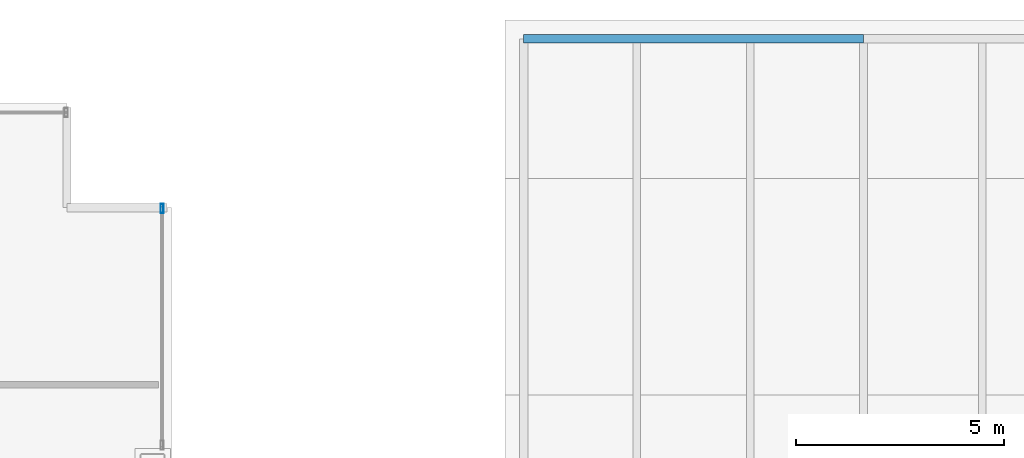
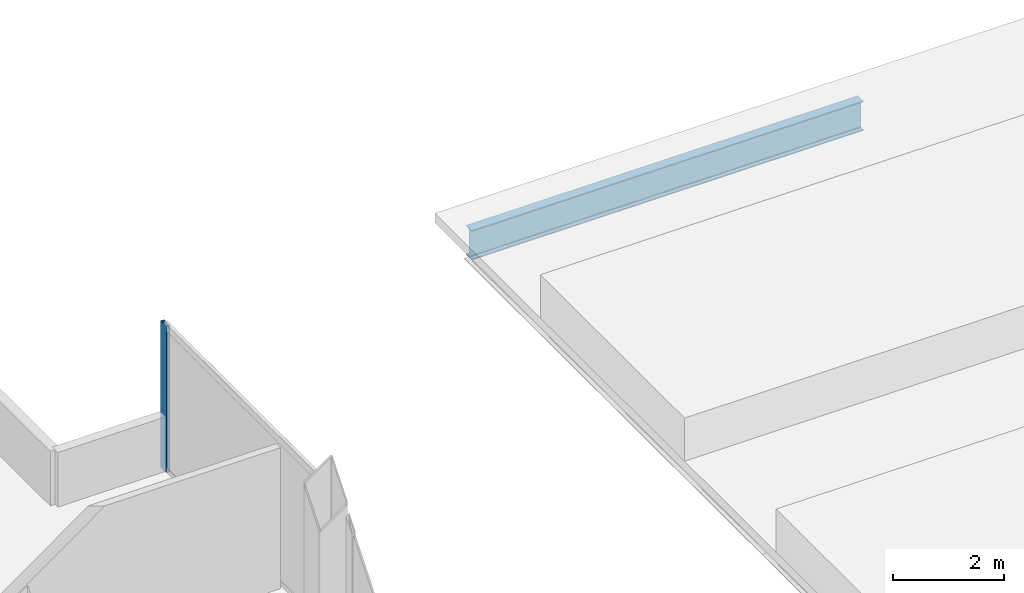
# One storey, part 22 of 30: 1 beam, 1 member, 1 element without a shape of its own.
"""IFC4 building model written with IfcOpenShell, lengths in metres."""

from ifc_helpers import new_model, si_unit, direction, frame, origin, origin_2d, place, context, subcontext, project, spatial, hollow_rectangle, i_section, extrude, material, material_profile, profile_set, type_object, element, aggregate, save


model = new_model("IFC4")

# Units and contexts
model_context = context("Model", 3, precision=1e-05, world=origin(), true_north=direction((0.0, 1.0)))
body_context = subcontext(model_context, "Body", "Model", "MODEL_VIEW")
ifc_project = project(units=[si_unit("LENGTHUNIT", "METRE"), si_unit("AREAUNIT", "SQUARE_METRE"), si_unit("VOLUMEUNIT", "CUBIC_METRE"), si_unit("PLANEANGLEUNIT", "RADIAN"), si_unit("MASSUNIT", "GRAM", prefix="KILO")], contexts=[model_context])

# Site, building, storey
site_placement = place(None, origin())
site = spatial("IfcSite", under=ifc_project, at=site_placement, CompositionType="ELEMENT")
building_placement = place(site_placement, origin())
building = spatial("IfcBuilding", under=site, at=building_placement, Name="Noeulbin Bourse Tower", CompositionType="ELEMENT")
storey_placement = place(building_placement, frame((0.0, 0.0, 26.5)))
storey = spatial("IfcBuildingStorey", under=building, at=storey_placement, Name="L06", CompositionType="ELEMENT", Elevation=26.5)

# Beam
ifc_material_1 = material(Name="Steel S355", Category="steel")
ifc_material_profile_1 = material_profile(ifc_material_1, i_section(OverallWidth=0.199951171875, OverallDepth=0.64990234375, WebThickness=0.010986328125, FlangeThickness=0.01904296875, FilletRadius=0.02197265625, at=origin_2d()), Name="H-650x200x11x19", Category="LoadBearing")
ifc_profile_set_1 = profile_set([ifc_material_profile_1], Name="Steel S355")
beam_type = type_object("IfcBeamType", Name="BM-GRD-650", PredefinedType="USERDEFINED", material=ifc_profile_set_1)
beam_placement = place(storey_placement, frame((60.449951171875, 48.550048828125, -0.534912109375), z_axis=(1.0, 0.0, 0.0), x_axis=(0.0, 1.0, 0.0)))
element("IfcBeam", 1, at=beam_placement, inside=storey, type_object=beam_type, Name="Market Hall Girder EW L06-09", ObjectType="GIRDER", PredefinedType="USERDEFINED", context=body_context, shape_type="SweptSolid", body=[
    extrude(i_section(OverallWidth=0.199951171875, OverallDepth=0.64990234375, WebThickness=0.010986328125, FlangeThickness=0.01904296875, FilletRadius=0.02197265625, at=origin_2d()), origin(), (0.0, 0.0, 1.0), 8.150146484375),
])

# Curtain wall, member
ifc_material_2 = material(Name="Dark Solar-Control Double Glazing", Category="glass")
curtain_wall_type = type_object("IfcCurtainWallType", Name="CW-SYS-2", PredefinedType="NOTDEFINED", material=ifc_material_2)
curtain_wall_placement = place(storey_placement, origin())
curtain_wall = element("IfcCurtainWall", 2, at=curtain_wall_placement, inside=storey, type_object=curtain_wall_type, Name="Unitised Curtain Wall CW-L06-E-S4", PredefinedType="NOTDEFINED")
ifc_material_3 = material(Name="Anodised Aluminium 6063-T6", Category="aluminium")
ifc_material_profile_2 = material_profile(ifc_material_3, hollow_rectangle(XDim=0.074951171875, YDim=0.219970703125, WallThickness=0.0048828125, InnerFilletRadius=0.00244140625, OuterFilletRadius=0.0048828125, at=origin_2d()), Name="ALU-MULL-75x220x5", Category="LoadBearing")
ifc_profile_set_2 = profile_set([ifc_material_profile_2], Name="Anodised Aluminium 6063-T6")
member_type = type_object("IfcMemberType", Name="CW-SYS-2-MUL", PredefinedType="MULLION", material=ifc_profile_set_2)
member_placement = place(storey_placement, frame((51.780029296875, 44.47998046875, -0.02001953125), z_axis=(0.0, 0.0, 1.0), x_axis=(1.0, 0.0, 0.0)))
member = element("IfcMember", 3, at=member_placement, type_object=member_type, Name="Curtain Wall Mullion CW-L06-E-S4-M01", PredefinedType="MULLION", context=body_context, shape_type="SweptSolid", body=[
    extrude(hollow_rectangle(XDim=0.074951171875, YDim=0.219970703125, WallThickness=0.0048828125, InnerFilletRadius=0.00244140625, OuterFilletRadius=0.0048828125, at=origin_2d()), origin(), (0.0, 0.0, 1.0), 3.219970703125),
])
aggregate(curtain_wall, [member])

save(model, "model.ifc")
